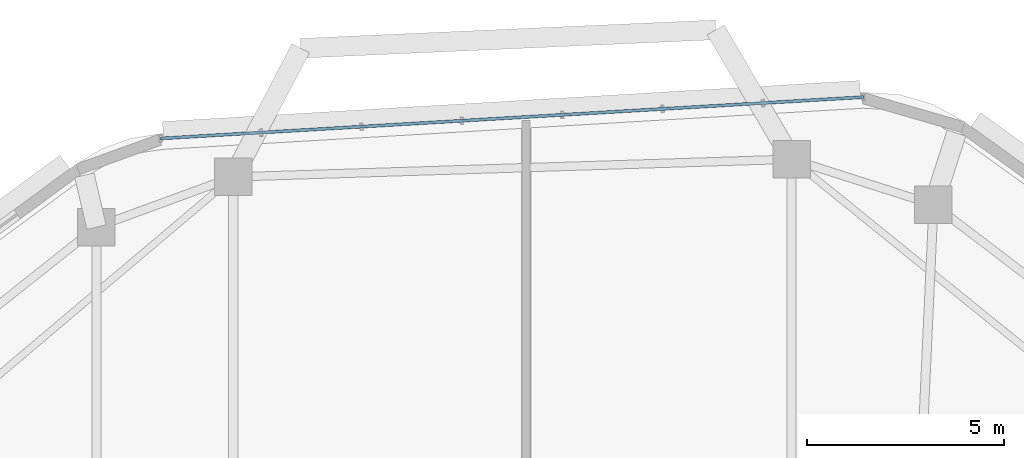
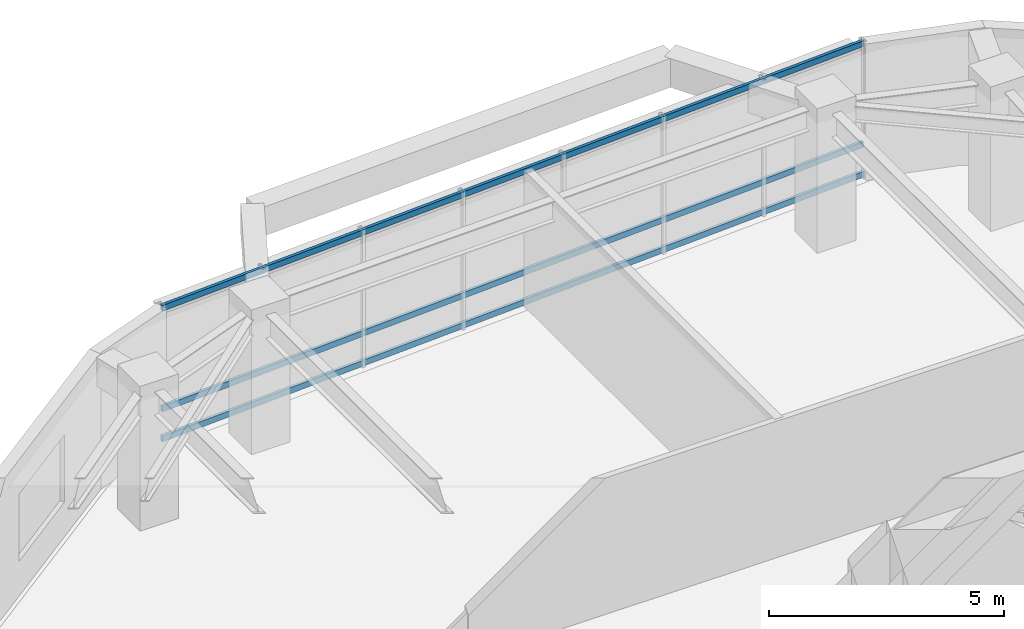
# One storey, part 3 of 15: 3 members, 1 element without a shape of its own.
"""IFC4 building model written with IfcOpenShell, lengths in metres."""

from ifc_helpers import new_model, si_unit, direction, frame, origin, origin_2d, place, context, subcontext, project, spatial, hollow_rectangle, extrude, material, material_profile, profile_set, type_object, element, aggregate, save


model = new_model("IFC4")

# Units and contexts
model_context = context("Model", 3, precision=1e-05, world=origin(), true_north=direction((0.0, 1.0)))
body_context = subcontext(model_context, "Body", "Model", "MODEL_VIEW")
ifc_project = project(units=[si_unit("LENGTHUNIT", "METRE"), si_unit("AREAUNIT", "SQUARE_METRE"), si_unit("VOLUMEUNIT", "CUBIC_METRE"), si_unit("PLANEANGLEUNIT", "RADIAN"), si_unit("MASSUNIT", "GRAM", prefix="KILO")], contexts=[model_context])

# Site, building, storey
site_placement = place(None, origin())
site = spatial("IfcSite", under=ifc_project, at=site_placement, CompositionType="ELEMENT")
building_placement = place(site_placement, origin())
building = spatial("IfcBuilding", under=site, at=building_placement, Name="Zulverin Broadcast Headquarters", CompositionType="ELEMENT")
storey_placement = place(building_placement, frame((0.0, 0.0, 193.39990234375)))
storey = spatial("IfcBuildingStorey", under=building, at=storey_placement, Name="L49", CompositionType="ELEMENT", Elevation=193.39990234375)

# Curtain wall, members
ifc_material_1 = material(Name="Waist wind-pressure unitised curtain wall", Category="aluminium")
curtain_wall_type = type_object("IfcCurtainWallType", Name="CW-TWR-WST", PredefinedType="USERDEFINED", material=ifc_material_1)
curtain_wall_placement = place(storey_placement, origin())
curtain_wall = element("IfcCurtainWall", 1, at=curtain_wall_placement, inside=storey, type_object=curtain_wall_type, Name="L49 Unitised Curtain Wall CW-L49-E5", ObjectType="UNITISED CURTAIN WALL", PredefinedType="USERDEFINED")
ifc_material_2 = material(Name="Anodized pale-metal aluminium alloy 6063-T6", Category="aluminium")
ifc_material_profile = material_profile(ifc_material_2, hollow_rectangle(XDim=0.074951171875, YDim=0.14990234375, WallThickness=0.0048828125, at=origin_2d()), Name="Anodized pale-metal aluminium alloy 6063-T6", Category="aluminium")
ifc_profile_set = profile_set([ifc_material_profile], Name="Anodized pale-metal aluminium alloy 6063-T6")
member_type = type_object("IfcMemberType", Name="CW-TRN-150", PredefinedType="USERDEFINED", material=ifc_profile_set)
member_1_placement = place(storey_placement, frame((46.844970703125, 48.296875, 0.0751953125), z_axis=(-0.998273806631, -0.05873165241, 0.0), x_axis=(0.05873165241, -0.998273806631, 0.0)))
member_1 = element("IfcMember", 2, at=member_1_placement, type_object=member_type, Name="CW-L49-E5 Transom 0", ObjectType="TRANSOM", PredefinedType="USERDEFINED", context=body_context, shape_type="SweptSolid", body=[
    extrude(hollow_rectangle(XDim=0.074951171875, YDim=0.14990234375, WallThickness=0.0048828125, at=origin_2d()), origin(), (0.0, 0.0, 1.0), 17.8330078125),
])
member_2_placement = place(storey_placement, frame((46.844970703125, 48.296875, 0.849609375), z_axis=(-0.998273806631, -0.05873165241, 0.0), x_axis=(0.05873165241, -0.998273806631, 0.0)))
member_2 = element("IfcMember", 3, at=member_2_placement, type_object=member_type, Name="CW-L49-E5 Transom 1", ObjectType="TRANSOM", PredefinedType="USERDEFINED", context=body_context, shape_type="SweptSolid", body=[
    extrude(hollow_rectangle(XDim=0.074951171875, YDim=0.14990234375, WallThickness=0.0048828125, at=origin_2d()), origin(), (0.0, 0.0, 1.0), 17.8330078125),
])
member_3_placement = place(storey_placement, frame((46.844970703125, 48.296875, 3.465087890625), z_axis=(-0.998273806631, -0.05873165241, 0.0), x_axis=(0.05873165241, -0.998273806631, 0.0)))
member_3 = element("IfcMember", 4, at=member_3_placement, type_object=member_type, Name="CW-L49-E5 Transom 2", ObjectType="TRANSOM", PredefinedType="USERDEFINED", context=body_context, shape_type="SweptSolid", body=[
    extrude(hollow_rectangle(XDim=0.074951171875, YDim=0.14990234375, WallThickness=0.0048828125, at=origin_2d()), origin(), (0.0, 0.0, 1.0), 17.8330078125),
])
aggregate(curtain_wall, [member_1, member_2, member_3])

save(model, "model.ifc")
